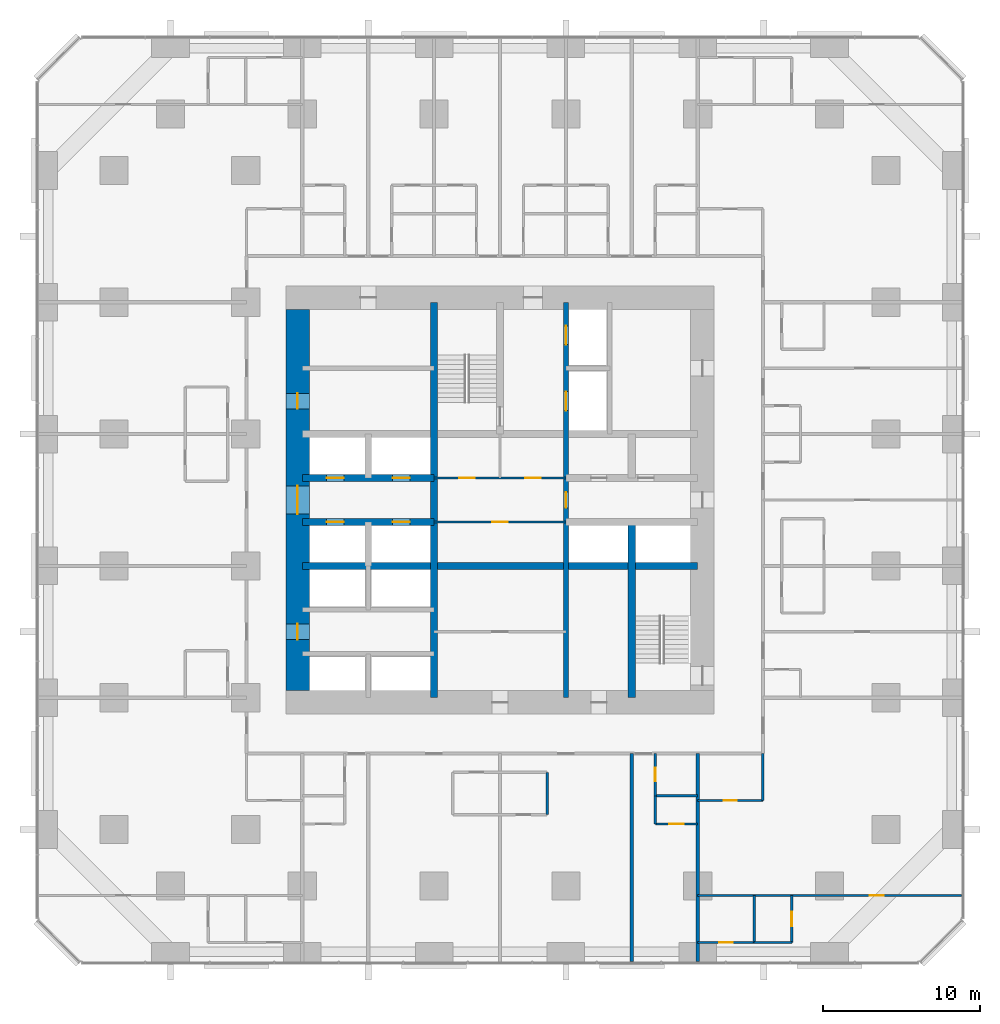
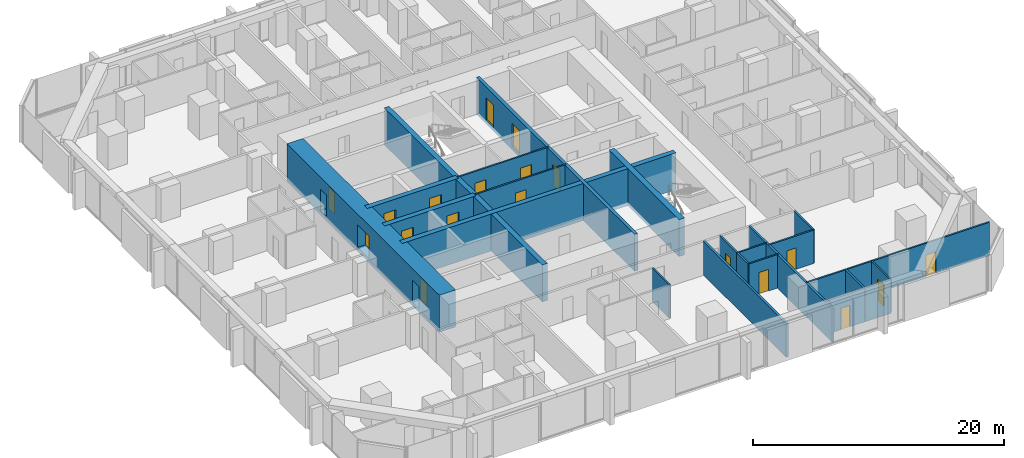
# One storey, part 12 of 17: 23 walls, 19 doors, 19 openings.
"""IFC4 building model written with IfcOpenShell, lengths in metres."""

from ifc_helpers import new_model, si_unit, direction, frame, frame_2d, origin, place, context, subcontext, project, spatial, rectangle, extrude, material, layer, layer_set, type_object, element, fill, save


model = new_model("IFC4")

# Units and contexts
model_context = context("Model", 3, precision=1e-05, world=origin(), true_north=direction((0.0, 1.0)))
body_context = subcontext(model_context, "Body", "Model", "MODEL_VIEW")
ifc_project = project(units=[si_unit("LENGTHUNIT", "METRE"), si_unit("AREAUNIT", "SQUARE_METRE"), si_unit("VOLUMEUNIT", "CUBIC_METRE"), si_unit("PLANEANGLEUNIT", "RADIAN"), si_unit("MASSUNIT", "GRAM", prefix="KILO")], contexts=[model_context])

# Site, building, storey
site_placement = place(None, origin())
site = spatial("IfcSite", under=ifc_project, at=site_placement, CompositionType="ELEMENT")
building_placement = place(site_placement, origin())
building = spatial("IfcBuilding", under=site, at=building_placement, Name="Dunama Terrace Hotel", CompositionType="ELEMENT")
storey_placement = place(building_placement, frame((0.0, 0.0, 63.0)))
storey = spatial("IfcBuildingStorey", under=building, at=storey_placement, Name="L15", CompositionType="ELEMENT", Elevation=63.0)

# Wall
ifc_material_1 = material(Name="Gypsum board partition", Category="masonry")
ifc_layer_1 = layer(ifc_material_1, 0.14990234375)
ifc_layer_set_1 = layer_set([ifc_layer_1], Name="Bathroom partition 150")
wall_type_1 = type_object("IfcWallType", Name="Bathroom partition 150", PredefinedType="PARTITIONING", material=ifc_layer_set_1)
wall_1_placement = place(storey_placement, frame((32.39990234375, 9.35009765625, 0.0), z_axis=(0.0, 0.0, 1.0), x_axis=(0.0, 1.0, 0.0)))
element("IfcWall", 1, at=wall_1_placement, inside=storey, type_object=wall_type_1, Name="Bathroom partition 150 L15", PredefinedType="PARTITIONING", context=body_context, shape_type="SweptSolid", body=[
    extrude(rectangle(XDim=2.699951171875, YDim=0.14990234375, at=frame_2d((1.35009765625, 0.0))), origin(), (0.0, 0.0, 1.0), 3.25),
])

# Wall, opening, door
wall_2_placement = place(storey_placement, frame((39.300048828125, 10.550048828125, 0.0), z_axis=(0.0, 0.0, 1.0), x_axis=(0.0, 1.0, 0.0)))
wall_2 = element("IfcWall", 2, at=wall_2_placement, inside=storey, type_object=wall_type_1, Name="Bathroom partition 150 L15", PredefinedType="PARTITIONING", context=body_context, shape_type="SweptSolid", body=[
    extrude(rectangle(XDim=2.699951171875, YDim=0.14990234375, at=frame_2d((1.35009765625, 0.0))), origin(), (0.0, 0.0, 1.0), 3.25),
])
opening_1_placement = place(wall_2_placement, frame((0.925048828125, 0.0, 0.0)))
opening_1 = element("IfcOpeningElement", 3, at=opening_1_placement, cuts=wall_2, Name="Opening L15-16-017", PredefinedType="OPENING", context=body_context, shape_type="SweptSolid", body=[
    extrude(rectangle(XDim=0.85009765625, YDim=2.10009765625, at=frame_2d((0.425048828125, 1.050048828125))), frame((0.0, 0.0849609375, 0.0), z_axis=(0.0, -1.0, 0.0), x_axis=(1.0, 0.0, 0.0)), (0.0, 0.0, 1.0), 0.169921875),
])
ifc_material_2 = material(Name="Timber door with steel frame", Category="steel")
door_type_1 = type_object("IfcDoorType", Name="Bathroom door 850", OperationType="SINGLE_SWING_LEFT", PredefinedType="DOOR", material=ifc_material_2)
door_1_placement = place(opening_1_placement, frame((0.85009765625, 0.0, 0.0), z_axis=(0.0, 0.0, 1.0), x_axis=(-1.0, 0.0, 0.0)))
door_1 = element("IfcDoor", 4, at=door_1_placement, inside=storey, type_object=door_type_1, Name="Door to en-suite bathroom L15-16-017, type D2", OperationType="SINGLE_SWING_LEFT", OverallHeight=2.10009765625, OverallWidth=0.85009765625, PredefinedType="DOOR", context=body_context, shape_type="SweptSolid", body=[
    extrude(rectangle(XDim=0.85009765625, YDim=2.10009765625, at=frame_2d((0.425048828125, 1.050048828125))), frame((0.0, 0.025146484375, 0.0), z_axis=(0.0, -1.0, 0.0), x_axis=(1.0, 0.0, 0.0)), (0.0, 0.0, 1.0), 0.050048828125),
])
fill(opening_1, door_1)

# Wall
wall_3_placement = place(storey_placement, frame((46.14990234375, 10.25, 0.0), z_axis=(0.0, 0.0, 1.0), x_axis=(0.0, 1.0, 0.0)))
element("IfcWall", 5, at=wall_3_placement, inside=storey, type_object=wall_type_1, Name="Bathroom partition 150 L15", PredefinedType="PARTITIONING", context=body_context, shape_type="SweptSolid", body=[
    extrude(rectangle(XDim=3.0, YDim=0.14990234375, at=frame_2d((1.5, 0.0))), origin(), (0.0, 0.0, 1.0), 3.25),
])

# Wall, opening, door
wall_4_placement = place(storey_placement, frame((42.0, 1.199951171875, 0.0), z_axis=(0.0, 0.0, 1.0), x_axis=(1.0, 0.0, 0.0)))
wall_4 = element("IfcWall", 6, at=wall_4_placement, inside=storey, type_object=wall_type_1, Name="Bathroom partition 150 L15", PredefinedType="PARTITIONING", context=body_context, shape_type="SweptSolid", body=[
    extrude(rectangle(XDim=3.60009765625, YDim=0.14990234375, at=frame_2d((1.800048828125, 0.0))), origin(), (0.0, 0.0, 1.0), 3.25),
])
opening_2_placement = place(wall_4_placement, frame((1.375, 0.0, 0.0)))
opening_2 = element("IfcOpeningElement", 7, at=opening_2_placement, cuts=wall_4, Name="Opening L15-16-063", PredefinedType="OPENING", context=body_context, shape_type="SweptSolid", body=[
    extrude(rectangle(XDim=0.85009765625, YDim=2.10009765625, at=frame_2d((0.425048828125, 1.050048828125))), frame((0.0, 0.0849609375, 0.0), z_axis=(0.0, -1.0, 0.0), x_axis=(1.0, 0.0, 0.0)), (0.0, 0.0, 1.0), 0.169921875),
])
door_2_placement = place(opening_2_placement, origin())
door_2 = element("IfcDoor", 8, at=door_2_placement, inside=storey, type_object=door_type_1, Name="Door to en-suite bathroom L15-16-063, type D2", OperationType="SINGLE_SWING_LEFT", OverallHeight=2.10009765625, OverallWidth=0.85009765625, PredefinedType="DOOR", context=body_context, shape_type="SweptSolid", body=[
    extrude(rectangle(XDim=0.85009765625, YDim=2.10009765625, at=frame_2d((0.425048828125, 1.050048828125))), frame((0.0, 0.02490234375, 0.0), z_axis=(0.0, -1.0, 0.0), x_axis=(1.0, 0.0, 0.0)), (0.0, 0.0, 1.0), 0.050048828125),
])
fill(opening_2, door_2)

wall_5_placement = place(storey_placement, frame((42.0, 10.25, 0.0), z_axis=(0.0, 0.0, 1.0), x_axis=(1.0, 0.0, 0.0)))
wall_5 = element("IfcWall", 9, at=wall_5_placement, inside=storey, type_object=wall_type_1, Name="Bathroom partition 150 L15", PredefinedType="PARTITIONING", context=body_context, shape_type="SweptSolid", body=[
    extrude(rectangle(XDim=4.14990234375, YDim=0.14990234375, at=frame_2d((2.074951171875, 0.0))), origin(), (0.0, 0.0, 1.0), 3.25),
])
opening_3_placement = place(wall_5_placement, frame((1.64990234375, 0.0, 0.0)))
opening_3 = element("IfcOpeningElement", 10, at=opening_3_placement, cuts=wall_5, Name="Opening L15-16-061", PredefinedType="OPENING", context=body_context, shape_type="SweptSolid", body=[
    extrude(rectangle(XDim=0.85009765625, YDim=2.10009765625, at=frame_2d((0.425048828125, 1.050048828125))), frame((0.0, 0.0849609375, 0.0), z_axis=(0.0, -1.0, 0.0), x_axis=(1.0, 0.0, 0.0)), (0.0, 0.0, 1.0), 0.169921875),
])
door_3_placement = place(opening_3_placement, origin())
door_3 = element("IfcDoor", 11, at=door_3_placement, inside=storey, type_object=door_type_1, Name="Door to powder room L15-16-061, type D2", OperationType="SINGLE_SWING_LEFT", OverallHeight=2.10009765625, OverallWidth=0.85009765625, PredefinedType="DOOR", context=body_context, shape_type="SweptSolid", body=[
    extrude(rectangle(XDim=0.85009765625, YDim=2.10009765625, at=frame_2d((0.425048828125, 1.050048828125))), frame((0.0, 0.02490234375, 0.0), z_axis=(0.0, -1.0, 0.0), x_axis=(1.0, 0.0, 0.0)), (0.0, 0.0, 1.0), 0.050048828125),
])
fill(opening_3, door_3)

# Wall, openings, doors
ifc_material_3 = material(Name="Concrete C50/60", Category="concrete")
ifc_layer_2 = layer(ifc_material_3, 0.300048828125)
ifc_layer_set_2 = layer_set([ifc_layer_2], Name="Core inner wall 300")
wall_type_2 = type_object("IfcWallType", Name="Core inner wall 300", PredefinedType="SHEAR", material=ifc_layer_set_2)
wall_6_placement = place(storey_placement, frame((33.60009765625, 16.800048828125, -0.35009765625), z_axis=(0.0, 0.0, 1.0), x_axis=(0.0, 1.0, 0.0)))
wall_6 = element("IfcWall", 12, at=wall_6_placement, inside=storey, type_object=wall_type_2, Name="Core inner wall 300 L15", PredefinedType="SHEAR", context=body_context, shape_type="SweptSolid", body=[
    extrude(rectangle(XDim=25.199951171875, YDim=0.300048828125, at=frame_2d((12.60009765625, 0.0))), origin(), (0.0, 0.0, 1.0), 3.60009765625),
])
opening_4_placement = place(wall_6_placement, frame((22.5, 0.0, 0.35009765625)))
opening_4 = element("IfcOpeningElement", 13, at=opening_4_placement, cuts=wall_6, Name="Opening L15-16-007", PredefinedType="OPENING", context=body_context, shape_type="SweptSolid", body=[
    extrude(rectangle(XDim=1.199951171875, YDim=2.199951171875, at=frame_2d((0.60009765625, 1.10009765625))), frame((0.0, 0.159912109375, 0.0), z_axis=(0.0, -1.0, 0.0), x_axis=(1.0, 0.0, 0.0)), (0.0, 0.0, 1.0), 0.320068359375),
])
opening_5_placement = place(wall_6_placement, frame((18.300048828125, 0.0, 0.35009765625)))
opening_5 = element("IfcOpeningElement", 14, at=opening_5_placement, cuts=wall_6, Name="Opening L15-16-008", PredefinedType="OPENING", context=body_context, shape_type="SweptSolid", body=[
    extrude(rectangle(XDim=1.199951171875, YDim=2.199951171875, at=frame_2d((0.60009765625, 1.10009765625))), frame((0.0, 0.159912109375, 0.0), z_axis=(0.0, -1.0, 0.0), x_axis=(1.0, 0.0, 0.0)), (0.0, 0.0, 1.0), 0.320068359375),
])
opening_6_placement = place(wall_6_placement, frame((12.10009765625, 0.0, 0.35009765625)))
opening_6 = element("IfcOpeningElement", 15, at=opening_6_placement, cuts=wall_6, Name="Opening L15-16-079", PredefinedType="OPENING", context=body_context, shape_type="SweptSolid", body=[
    extrude(rectangle(XDim=1.0, YDim=2.10009765625, at=frame_2d((0.5, 1.050048828125))), frame((0.0, 0.159912109375, 0.0), z_axis=(0.0, -1.0, 0.0), x_axis=(1.0, 0.0, 0.0)), (0.0, 0.0, 1.0), 0.320068359375),
])
ifc_material_4 = material(Name="Stainless steel lift door", Category="steel")
door_type_2 = type_object("IfcDoorType", Name="Firefighting lift landing door 1200", OperationType="DOUBLE_DOOR_SLIDING", PredefinedType="DOOR", material=ifc_material_4)
door_4_placement = place(opening_4_placement, origin())
door_4 = element("IfcDoor", 16, at=door_4_placement, inside=storey, type_object=door_type_2, Name="Landing door FL1 L15-16-007, type LD2", OperationType="DOUBLE_DOOR_SLIDING", OverallHeight=2.199951171875, OverallWidth=1.199951171875, PredefinedType="DOOR", context=body_context, shape_type="SweptSolid", body=[
    extrude(rectangle(XDim=1.199951171875, YDim=2.199951171875, at=frame_2d((0.60009765625, 1.10009765625))), frame((0.0, 0.02490234375, 0.0), z_axis=(0.0, -1.0, 0.0), x_axis=(1.0, 0.0, 0.0)), (0.0, 0.0, 1.0), 0.050048828125),
])
fill(opening_4, door_4)
door_5_placement = place(opening_5_placement, origin())
door_5 = element("IfcDoor", 17, at=door_5_placement, inside=storey, type_object=door_type_2, Name="Landing door FL2 L15-16-008, type LD2", OperationType="DOUBLE_DOOR_SLIDING", OverallHeight=2.199951171875, OverallWidth=1.199951171875, PredefinedType="DOOR", context=body_context, shape_type="SweptSolid", body=[
    extrude(rectangle(XDim=1.199951171875, YDim=2.199951171875, at=frame_2d((0.60009765625, 1.10009765625))), frame((0.0, 0.02490234375, 0.0), z_axis=(0.0, -1.0, 0.0), x_axis=(1.0, 0.0, 0.0)), (0.0, 0.0, 1.0), 0.050048828125),
])
fill(opening_5, door_5)
ifc_material_5 = material(Name="Timber door with steel frame", Category="steel")
door_type_3 = type_object("IfcDoorType", Name="Service door 1000", OperationType="SINGLE_SWING_LEFT", PredefinedType="DOOR", material=ifc_material_5)
door_6_placement = place(opening_6_placement, origin())
door_6 = element("IfcDoor", 18, at=door_6_placement, inside=storey, type_object=door_type_3, Name="Door to staff passage L15-16-079, type D7", OperationType="SINGLE_SWING_LEFT", OverallHeight=2.10009765625, OverallWidth=1.0, PredefinedType="DOOR", context=body_context, shape_type="SweptSolid", body=[
    extrude(rectangle(XDim=1.0, YDim=2.10009765625, at=frame_2d((0.5, 1.050048828125))), frame((0.0, 0.02490234375, 0.0), z_axis=(0.0, -1.0, 0.0), x_axis=(1.0, 0.0, 0.0)), (0.0, 0.0, 1.0), 0.050048828125),
])
fill(opening_6, door_6)

# Walls
ifc_material_6 = material(Name="Concrete C50/60", Category="concrete")
ifc_layer_3 = layer(ifc_material_6, 0.449951171875)
ifc_layer_set_3 = layer_set([ifc_layer_3], Name="Core inner wall 450")
wall_type_3 = type_object("IfcWallType", Name="Core inner wall 450", PredefinedType="SHEAR", material=ifc_layer_set_3)
for number, where, z_axis, x_axis, name in (
    (19, (25.199951171875, 16.800048828125, -0.35009765625), (0.0, 0.0, 1.0), (0.0, 1.0, 0.0), "Core inner wall 450 L15"),
    (20, (16.800048828125, 25.199951171875, -0.35009765625), (0.0, 0.0, 1.0), (1.0, 0.0, 0.0), "Core inner wall 450 L15"),
):
    element("IfcWall", number, at=place(storey_placement, frame(where, z_axis=z_axis, x_axis=x_axis)), inside=storey, type_object=wall_type_3, Name=name, PredefinedType="SHEAR", context=body_context, shape_type="SweptSolid", body=[
        extrude(rectangle(XDim=25.199951171875, YDim=0.449951171875, at=frame_2d((12.60009765625, 0.0))), origin(), (0.0, 0.0, 1.0), 3.60009765625),
    ])

# Wall, openings, doors
wall_7_placement = place(storey_placement, frame((16.800048828125, 28.0, -0.35009765625), z_axis=(0.0, 0.0, 1.0), x_axis=(1.0, 0.0, 0.0)))
wall_7 = element("IfcWall", 21, at=wall_7_placement, inside=storey, type_object=wall_type_3, Name="Core inner wall 450 L15", PredefinedType="SHEAR", context=body_context, shape_type="SweptSolid", body=[
    extrude(rectangle(XDim=8.39990234375, YDim=0.449951171875, at=frame_2d((4.199951171875, 0.0))), origin(), (0.0, 0.0, 1.0), 3.60009765625),
])
opening_7_placement = place(wall_7_placement, frame((1.550048828125, 0.0, 0.35009765625)))
opening_7 = element("IfcOpeningElement", 22, at=opening_7_placement, cuts=wall_7, Name="Opening L15-16-003", PredefinedType="OPENING", context=body_context, shape_type="SweptSolid", body=[
    extrude(rectangle(XDim=1.10009765625, YDim=2.199951171875, at=frame_2d((0.550048828125, 1.10009765625))), frame((0.0, 0.23486328125, 0.0), z_axis=(0.0, -1.0, 0.0), x_axis=(1.0, 0.0, 0.0)), (0.0, 0.0, 1.0), 0.469970703125),
])
opening_8_placement = place(wall_7_placement, frame((5.75, 0.0, 0.35009765625)))
opening_8 = element("IfcOpeningElement", 23, at=opening_8_placement, cuts=wall_7, Name="Opening L15-16-004", PredefinedType="OPENING", context=body_context, shape_type="SweptSolid", body=[
    extrude(rectangle(XDim=1.10009765625, YDim=2.199951171875, at=frame_2d((0.550048828125, 1.10009765625))), frame((0.0, 0.23486328125, 0.0), z_axis=(0.0, -1.0, 0.0), x_axis=(1.0, 0.0, 0.0)), (0.0, 0.0, 1.0), 0.469970703125),
])
ifc_material_7 = material(Name="Stainless steel lift door", Category="steel")
door_type_4 = type_object("IfcDoorType", Name="Lift landing door 1100", OperationType="DOUBLE_DOOR_SLIDING", PredefinedType="DOOR", material=ifc_material_7)
door_7_placement = place(opening_7_placement, origin())
door_7 = element("IfcDoor", 24, at=door_7_placement, inside=storey, type_object=door_type_4, Name="Landing door PA1 L15-16-003, type LD1", OperationType="DOUBLE_DOOR_SLIDING", OverallHeight=2.199951171875, OverallWidth=1.10009765625, PredefinedType="DOOR", context=body_context, shape_type="SweptSolid", body=[
    extrude(rectangle(XDim=1.10009765625, YDim=2.199951171875, at=frame_2d((0.550048828125, 1.10009765625))), frame((0.0, 0.02490234375, 0.0), z_axis=(0.0, -1.0, 0.0), x_axis=(1.0, 0.0, 0.0)), (0.0, 0.0, 1.0), 0.050048828125),
])
fill(opening_7, door_7)
door_8_placement = place(opening_8_placement, origin())
door_8 = element("IfcDoor", 25, at=door_8_placement, inside=storey, type_object=door_type_4, Name="Landing door PA2 L15-16-004, type LD1", OperationType="DOUBLE_DOOR_SLIDING", OverallHeight=2.199951171875, OverallWidth=1.10009765625, PredefinedType="DOOR", context=body_context, shape_type="SweptSolid", body=[
    extrude(rectangle(XDim=1.10009765625, YDim=2.199951171875, at=frame_2d((0.550048828125, 1.10009765625))), frame((0.0, 0.02490234375, 0.0), z_axis=(0.0, -1.0, 0.0), x_axis=(1.0, 0.0, 0.0)), (0.0, 0.0, 1.0), 0.050048828125),
])
fill(opening_8, door_8)

wall_8_placement = place(storey_placement, frame((16.800048828125, 30.800048828125, -0.35009765625), z_axis=(0.0, 0.0, 1.0), x_axis=(1.0, 0.0, 0.0)))
wall_8 = element("IfcWall", 26, at=wall_8_placement, inside=storey, type_object=wall_type_3, Name="Core inner wall 450 L15", PredefinedType="SHEAR", context=body_context, shape_type="SweptSolid", body=[
    extrude(rectangle(XDim=8.39990234375, YDim=0.449951171875, at=frame_2d((4.199951171875, 0.0))), origin(), (0.0, 0.0, 1.0), 3.60009765625),
])
opening_9_placement = place(wall_8_placement, frame((1.550048828125, 0.0, 0.35009765625)))
opening_9 = element("IfcOpeningElement", 27, at=opening_9_placement, cuts=wall_8, Name="Opening L15-16-005", PredefinedType="OPENING", context=body_context, shape_type="SweptSolid", body=[
    extrude(rectangle(XDim=1.10009765625, YDim=2.199951171875, at=frame_2d((0.550048828125, 1.10009765625))), frame((0.0, 0.23486328125, 0.0), z_axis=(0.0, -1.0, 0.0), x_axis=(1.0, 0.0, 0.0)), (0.0, 0.0, 1.0), 0.469970703125),
])
opening_10_placement = place(wall_8_placement, frame((5.75, 0.0, 0.35009765625)))
opening_10 = element("IfcOpeningElement", 28, at=opening_10_placement, cuts=wall_8, Name="Opening L15-16-006", PredefinedType="OPENING", context=body_context, shape_type="SweptSolid", body=[
    extrude(rectangle(XDim=1.10009765625, YDim=2.199951171875, at=frame_2d((0.550048828125, 1.10009765625))), frame((0.0, 0.23486328125, 0.0), z_axis=(0.0, -1.0, 0.0), x_axis=(1.0, 0.0, 0.0)), (0.0, 0.0, 1.0), 0.469970703125),
])
door_9_placement = place(opening_9_placement, origin())
door_9 = element("IfcDoor", 29, at=door_9_placement, inside=storey, type_object=door_type_4, Name="Landing door PA3 L15-16-005, type LD1", OperationType="DOUBLE_DOOR_SLIDING", OverallHeight=2.199951171875, OverallWidth=1.10009765625, PredefinedType="DOOR", context=body_context, shape_type="SweptSolid", body=[
    extrude(rectangle(XDim=1.10009765625, YDim=2.199951171875, at=frame_2d((0.550048828125, 1.10009765625))), frame((0.0, 0.02490234375, 0.0), z_axis=(0.0, -1.0, 0.0), x_axis=(1.0, 0.0, 0.0)), (0.0, 0.0, 1.0), 0.050048828125),
])
fill(opening_9, door_9)
door_10_placement = place(opening_10_placement, origin())
door_10 = element("IfcDoor", 30, at=door_10_placement, inside=storey, type_object=door_type_4, Name="Landing door PA4 L15-16-006, type LD1", OperationType="DOUBLE_DOOR_SLIDING", OverallHeight=2.199951171875, OverallWidth=1.10009765625, PredefinedType="DOOR", context=body_context, shape_type="SweptSolid", body=[
    extrude(rectangle(XDim=1.10009765625, YDim=2.199951171875, at=frame_2d((0.550048828125, 1.10009765625))), frame((0.0, 0.02490234375, 0.0), z_axis=(0.0, -1.0, 0.0), x_axis=(1.0, 0.0, 0.0)), (0.0, 0.0, 1.0), 0.050048828125),
])
fill(opening_10, door_10)

# Wall
ifc_material_8 = material(Name="Concrete C50/60", Category="concrete")
ifc_layer_4 = layer(ifc_material_8, 0.5)
ifc_layer_set_4 = layer_set([ifc_layer_4], Name="Core inner wall 500")
wall_type_4 = type_object("IfcWallType", Name="Core inner wall 500", PredefinedType="SHEAR", material=ifc_layer_set_4)
wall_9_placement = place(storey_placement, frame((37.800048828125, 16.800048828125, -0.35009765625), z_axis=(0.0, 0.0, 1.0), x_axis=(0.0, 1.0, 0.0)))
element("IfcWall", 31, at=wall_9_placement, inside=storey, type_object=wall_type_4, Name="Core inner wall 500 L15", PredefinedType="SHEAR", context=body_context, shape_type="SweptSolid", body=[
    extrude(rectangle(XDim=11.199951171875, YDim=0.5, at=frame_2d((5.60009765625, 0.0))), origin(), (0.0, 0.0, 1.0), 3.60009765625),
])

# Wall, openings, doors
ifc_material_9 = material(Name="Concrete C60/75", Category="concrete")
ifc_layer_5 = layer(ifc_material_9, 1.5)
ifc_layer_set_5 = layer_set([ifc_layer_5], Name="Core wall 1500")
wall_type_5 = type_object("IfcWallType", Name="Core wall 1500", PredefinedType="SHEAR", material=ifc_layer_set_5)
wall_10_placement = place(storey_placement, frame((16.5, 41.550048828125, -0.35009765625), z_axis=(0.0, 0.0, 1.0), x_axis=(0.0, -1.0, 0.0)))
wall_10 = element("IfcWall", 32, at=wall_10_placement, inside=storey, type_object=wall_type_5, Name="Core wall west L15", PredefinedType="SHEAR", context=body_context, shape_type="SweptSolid", body=[
    extrude(rectangle(XDim=24.300048828125, YDim=1.5, at=frame_2d((12.14990234375, 0.0))), origin(), (0.0, 0.0, 1.0), 3.60009765625),
])
opening_11_placement = place(wall_10_placement, frame((11.25, 0.0, 0.35009765625)))
opening_11 = element("IfcOpeningElement", 33, at=opening_11_placement, cuts=wall_10, Name="Opening L15-16-075", PredefinedType="OPENING", context=body_context, shape_type="SweptSolid", body=[
    extrude(rectangle(XDim=1.800048828125, YDim=2.199951171875, at=frame_2d((0.89990234375, 1.10009765625))), frame((0.0, 0.760009765625, 0.0), z_axis=(0.0, -1.0, 0.0), x_axis=(1.0, 0.0, 0.0)), (0.0, 0.0, 1.0), 1.52001953125),
])
opening_12_placement = place(wall_10_placement, frame((20.050048828125, 0.0, 0.35009765625)))
opening_12 = element("IfcOpeningElement", 34, at=opening_12_placement, cuts=wall_10, Name="Opening L15-16-076", PredefinedType="OPENING", context=body_context, shape_type="SweptSolid", body=[
    extrude(rectangle(XDim=1.0, YDim=2.10009765625, at=frame_2d((0.5, 1.050048828125))), frame((0.0, 0.760009765625, 0.0), z_axis=(0.0, -1.0, 0.0), x_axis=(1.0, 0.0, 0.0)), (0.0, 0.0, 1.0), 1.52001953125),
])
opening_13_placement = place(wall_10_placement, frame((5.35009765625, 0.0, 0.35009765625)))
opening_13 = element("IfcOpeningElement", 35, at=opening_13_placement, cuts=wall_10, Name="Opening L15-16-077", PredefinedType="OPENING", context=body_context, shape_type="SweptSolid", body=[
    extrude(rectangle(XDim=1.0, YDim=2.10009765625, at=frame_2d((0.5, 1.050048828125))), frame((0.0, 0.760009765625, 0.0), z_axis=(0.0, -1.0, 0.0), x_axis=(1.0, 0.0, 0.0)), (0.0, 0.0, 1.0), 1.52001953125),
])
ifc_material_10 = material(Name="Timber door with steel frame", Category="steel")
door_type_5 = type_object("IfcDoorType", Name="Lift lobby double door 1800", OperationType="DOUBLE_DOOR_DOUBLE_SWING", PredefinedType="DOOR", material=ifc_material_10)
door_11_placement = place(opening_11_placement, origin())
door_11 = element("IfcDoor", 36, at=door_11_placement, inside=storey, type_object=door_type_5, Name="Door to lift lobby L15-16-075, type D3", OperationType="DOUBLE_DOOR_DOUBLE_SWING", OverallHeight=2.199951171875, OverallWidth=1.800048828125, PredefinedType="DOOR", context=body_context, shape_type="SweptSolid", body=[
    extrude(rectangle(XDim=1.800048828125, YDim=2.199951171875, at=frame_2d((0.89990234375, 1.10009765625))), frame((0.0, 0.02490234375, 0.0), z_axis=(0.0, -1.0, 0.0), x_axis=(1.0, 0.0, 0.0)), (0.0, 0.0, 1.0), 0.050048828125),
])
fill(opening_11, door_11)
door_12_placement = place(opening_12_placement, origin())
door_12 = element("IfcDoor", 37, at=door_12_placement, inside=storey, type_object=door_type_3, Name="Door to service lobby L15-16-076, type D7", OperationType="SINGLE_SWING_RIGHT", OverallHeight=2.10009765625, OverallWidth=1.0, PredefinedType="DOOR", context=body_context, shape_type="SweptSolid", body=[
    extrude(rectangle(XDim=1.0, YDim=2.10009765625, at=frame_2d((0.5, 1.050048828125))), frame((0.0, 0.02490234375, 0.0), z_axis=(0.0, -1.0, 0.0), x_axis=(1.0, 0.0, 0.0)), (0.0, 0.0, 1.0), 0.050048828125),
])
fill(opening_12, door_12)
door_13_placement = place(opening_13_placement, origin())
door_13 = element("IfcDoor", 38, at=door_13_placement, inside=storey, type_object=door_type_3, Name="Door to electrical room L15-16-077, type D7", OperationType="SINGLE_SWING_RIGHT", OverallHeight=2.10009765625, OverallWidth=1.0, PredefinedType="DOOR", context=body_context, shape_type="SweptSolid", body=[
    extrude(rectangle(XDim=1.0, YDim=2.10009765625, at=frame_2d((0.5, 1.050048828125))), frame((0.0, 0.02490234375, 0.0), z_axis=(0.0, -1.0, 0.0), x_axis=(1.0, 0.0, 0.0)), (0.0, 0.0, 1.0), 0.050048828125),
])
fill(opening_13, door_13)

# Walls
ifc_material_11 = material(Name="Concrete blockwork", Category="masonry")
ifc_layer_6 = layer(ifc_material_11, 0.199951171875)
ifc_layer_set_6 = layer_set([ifc_layer_6], Name="Party wall 200")
wall_type_6 = type_object("IfcWallType", Name="Party wall 200", PredefinedType="PARTITIONING", material=ifc_layer_set_6)
for number, where, z_axis, x_axis, name in (
    (39, (37.800048828125, -0.008056640625, 0.0), (0.0, 0.0, 1.0), (0.0, 1.0, 0.0), "Party wall 200 L15"),
    (40, (42.0, -0.008056640625, 0.0), (0.0, 0.0, 1.0), (0.0, 1.0, 0.0), "Party wall 200 L15"),
):
    element("IfcWall", number, at=place(storey_placement, frame(where, z_axis=z_axis, x_axis=x_axis)), inside=storey, type_object=wall_type_6, Name=name, PredefinedType="PARTITIONING", context=body_context, shape_type="SweptSolid", body=[
        extrude(rectangle(XDim=13.258056640625, YDim=0.199951171875, at=frame_2d((6.62890625, 0.0))), origin(), (0.0, 0.0, 1.0), 3.25),
    ])
ifc_material_12 = material(Name="Gypsum board partition", Category="masonry")
ifc_layer_7 = layer(ifc_material_12, 0.14990234375)
ifc_layer_set_7 = layer_set([ifc_layer_7], Name="Room partition 150")
wall_type_7 = type_object("IfcWallType", Name="Room partition 150", PredefinedType="PARTITIONING", material=ifc_layer_set_7)
wall_11_placement = place(storey_placement, frame((39.300048828125, 8.75, 0.0), z_axis=(0.0, 0.0, 1.0), x_axis=(0.0, 1.0, 0.0)))
element("IfcWall", 41, at=wall_11_placement, inside=storey, type_object=wall_type_7, Name="Room partition 150 L15", PredefinedType="PARTITIONING", context=body_context, shape_type="SweptSolid", body=[
    extrude(rectangle(XDim=1.800048828125, YDim=0.14990234375, at=frame_2d((0.89990234375, 0.0))), origin(), (0.0, 0.0, 1.0), 3.25),
])
wall_12_placement = place(storey_placement, frame((45.60009765625, 1.199951171875, 0.0), z_axis=(0.0, 0.0, 1.0), x_axis=(0.0, 1.0, 0.0)))
element("IfcWall", 42, at=wall_12_placement, inside=storey, type_object=wall_type_7, Name="Room partition 150 L15", PredefinedType="PARTITIONING", context=body_context, shape_type="SweptSolid", body=[
    extrude(rectangle(XDim=3.0, YDim=0.14990234375, at=frame_2d((1.5, 0.0))), origin(), (0.0, 0.0, 1.0), 3.25),
])

# Wall, opening, door
wall_13_placement = place(storey_placement, frame((48.0, 1.199951171875, 0.0), z_axis=(0.0, 0.0, 1.0), x_axis=(0.0, 1.0, 0.0)))
wall_13 = element("IfcWall", 43, at=wall_13_placement, inside=storey, type_object=wall_type_7, Name="Room partition 150 L15", PredefinedType="PARTITIONING", context=body_context, shape_type="SweptSolid", body=[
    extrude(rectangle(XDim=3.0, YDim=0.14990234375, at=frame_2d((1.5, 0.0))), origin(), (0.0, 0.0, 1.0), 3.25),
])
opening_14_placement = place(wall_13_placement, frame((1.050048828125, 0.0, 0.0)))
opening_14 = element("IfcOpeningElement", 44, at=opening_14_placement, cuts=wall_13, Name="Opening L15-16-064", PredefinedType="OPENING", context=body_context, shape_type="SweptSolid", body=[
    extrude(rectangle(XDim=0.89990234375, YDim=2.10009765625, at=frame_2d((0.449951171875, 1.050048828125))), frame((0.0, 0.0849609375, 0.0), z_axis=(0.0, -1.0, 0.0), x_axis=(1.0, 0.0, 0.0)), (0.0, 0.0, 1.0), 0.169921875),
])
ifc_material_13 = material(Name="Timber door with steel frame", Category="steel")
door_type_6 = type_object("IfcDoorType", Name="Suite internal door 900", OperationType="SINGLE_SWING_LEFT", PredefinedType="DOOR", material=ifc_material_13)
door_14_placement = place(opening_14_placement, origin())
door_14 = element("IfcDoor", 45, at=door_14_placement, inside=storey, type_object=door_type_6, Name="Door to dressing room L15-16-064, type D16", OperationType="SINGLE_SWING_LEFT", OverallHeight=2.10009765625, OverallWidth=0.89990234375, PredefinedType="DOOR", context=body_context, shape_type="SweptSolid", body=[
    extrude(rectangle(XDim=0.89990234375, YDim=2.10009765625, at=frame_2d((0.449951171875, 1.050048828125))), frame((0.0, 0.02490234375, 0.0), z_axis=(0.0, -1.0, 0.0), x_axis=(1.0, 0.0, 0.0)), (0.0, 0.0, 1.0), 0.050048828125),
])
fill(opening_14, door_14)

# Wall
wall_14_placement = place(storey_placement, frame((45.60009765625, 1.199951171875, 0.0), z_axis=(0.0, 0.0, 1.0), x_axis=(1.0, 0.0, 0.0)))
element("IfcWall", 46, at=wall_14_placement, inside=storey, type_object=wall_type_7, Name="Room partition 150 L15", PredefinedType="PARTITIONING", context=body_context, shape_type="SweptSolid", body=[
    extrude(rectangle(XDim=2.39990234375, YDim=0.14990234375, at=frame_2d((1.199951171875, 0.0))), origin(), (0.0, 0.0, 1.0), 3.25),
])

# Wall, opening, door
wall_15_placement = place(storey_placement, frame((42.0, 4.199951171875, 0.0), z_axis=(0.0, 0.0, 1.0), x_axis=(1.0, 0.0, 0.0)))
wall_15 = element("IfcWall", 47, at=wall_15_placement, inside=storey, type_object=wall_type_7, Name="Room partition 150 L15", PredefinedType="PARTITIONING", context=body_context, shape_type="SweptSolid", body=[
    extrude(rectangle(XDim=16.80810546875, YDim=0.14990234375, at=frame_2d((8.404052734375, 0.0))), origin(), (0.0, 0.0, 1.0), 3.25),
])
opening_15_placement = place(wall_15_placement, frame((10.949951171875, 0.0, 0.0)))
opening_15 = element("IfcOpeningElement", 48, at=opening_15_placement, cuts=wall_15, Name="Opening L15-16-062", PredefinedType="OPENING", context=body_context, shape_type="SweptSolid", body=[
    extrude(rectangle(XDim=0.89990234375, YDim=2.10009765625, at=frame_2d((0.449951171875, 1.050048828125))), frame((0.0, 0.0849609375, 0.0), z_axis=(0.0, -1.0, 0.0), x_axis=(1.0, 0.0, 0.0)), (0.0, 0.0, 1.0), 0.169921875),
])
door_15_placement = place(opening_15_placement, frame((0.89990234375, 0.0, 0.0), z_axis=(0.0, 0.0, 1.0), x_axis=(-1.0, 0.0, 0.0)))
door_15 = element("IfcDoor", 49, at=door_15_placement, inside=storey, type_object=door_type_6, Name="Door to corner suite bedroom L15-16-062, type D16", OperationType="SINGLE_SWING_RIGHT", OverallHeight=2.10009765625, OverallWidth=0.89990234375, PredefinedType="DOOR", context=body_context, shape_type="SweptSolid", body=[
    extrude(rectangle(XDim=0.89990234375, YDim=2.10009765625, at=frame_2d((0.449951171875, 1.050048828125))), frame((0.0, 0.025146484375, 0.0), z_axis=(0.0, -1.0, 0.0), x_axis=(1.0, 0.0, 0.0)), (0.0, 0.0, 1.0), 0.050048828125),
])
fill(opening_15, door_15)

wall_16_placement = place(storey_placement, frame((39.300048828125, 8.75, 0.0), z_axis=(0.0, 0.0, 1.0), x_axis=(1.0, 0.0, 0.0)))
wall_16 = element("IfcWall", 50, at=wall_16_placement, inside=storey, type_object=wall_type_7, Name="Room partition 150 L15", PredefinedType="PARTITIONING", context=body_context, shape_type="SweptSolid", body=[
    extrude(rectangle(XDim=2.699951171875, YDim=0.14990234375, at=frame_2d((1.35009765625, 0.0))), origin(), (0.0, 0.0, 1.0), 3.25),
])
opening_16_placement = place(wall_16_placement, frame((0.89990234375, 0.0, 0.0)))
opening_16 = element("IfcOpeningElement", 51, at=opening_16_placement, cuts=wall_16, Name="Opening L15-16-018", PredefinedType="OPENING", context=body_context, shape_type="SweptSolid", body=[
    extrude(rectangle(XDim=0.89990234375, YDim=2.10009765625, at=frame_2d((0.449951171875, 1.050048828125))), frame((0.0, 0.0849609375, 0.0), z_axis=(0.0, -1.0, 0.0), x_axis=(1.0, 0.0, 0.0)), (0.0, 0.0, 1.0), 0.169921875),
])
door_16_placement = place(opening_16_placement, origin())
door_16 = element("IfcDoor", 52, at=door_16_placement, inside=storey, type_object=door_type_6, Name="Door to walk-in wardrobe L15-16-018, type D16", OperationType="SINGLE_SWING_RIGHT", OverallHeight=2.10009765625, OverallWidth=0.89990234375, PredefinedType="DOOR", context=body_context, shape_type="SweptSolid", body=[
    extrude(rectangle(XDim=0.89990234375, YDim=2.10009765625, at=frame_2d((0.449951171875, 1.050048828125))), frame((0.0, 0.02490234375, 0.0), z_axis=(0.0, -1.0, 0.0), x_axis=(1.0, 0.0, 0.0)), (0.0, 0.0, 1.0), 0.050048828125),
])
fill(opening_16, door_16)

# Wall
wall_17_placement = place(storey_placement, frame((39.300048828125, 10.550048828125, 0.0), z_axis=(0.0, 0.0, 1.0), x_axis=(1.0, 0.0, 0.0)))
element("IfcWall", 53, at=wall_17_placement, inside=storey, type_object=wall_type_7, Name="Room partition 150 L15", PredefinedType="PARTITIONING", context=body_context, shape_type="SweptSolid", body=[
    extrude(rectangle(XDim=2.699951171875, YDim=0.14990234375, at=frame_2d((1.35009765625, 0.0))), origin(), (0.0, 0.0, 1.0), 3.25),
])

# Wall, opening, door
wall_18_placement = place(storey_placement, frame((25.199951171875, 28.0, 0.0), z_axis=(0.0, 0.0, 1.0), x_axis=(1.0, 0.0, 0.0)))
wall_18 = element("IfcWall", 54, at=wall_18_placement, inside=storey, type_object=wall_type_7, Name="Room partition 150 L15", PredefinedType="PARTITIONING", context=body_context, shape_type="SweptSolid", body=[
    extrude(rectangle(XDim=8.400146484375, YDim=0.14990234375, at=frame_2d((4.2001953125, 0.0))), origin(), (0.0, 0.0, 1.0), 3.25),
])
opening_17_placement = place(wall_18_placement, frame((3.699951171875, 0.0, 0.0)))
opening_17 = element("IfcOpeningElement", 55, at=opening_17_placement, cuts=wall_18, Name="Opening L15-16-080", PredefinedType="OPENING", context=body_context, shape_type="SweptSolid", body=[
    extrude(rectangle(XDim=1.0, YDim=2.10009765625, at=frame_2d((0.5, 1.050048828125))), frame((0.0, 0.0849609375, 0.0), z_axis=(0.0, -1.0, 0.0), x_axis=(1.0, 0.0, 0.0)), (0.0, 0.0, 1.0), 0.169921875),
])
door_17_placement = place(opening_17_placement, frame((1.0, 0.0, 0.0), z_axis=(0.0, 0.0, 1.0), x_axis=(-1.0, 0.0, 0.0)))
door_17 = element("IfcDoor", 56, at=door_17_placement, inside=storey, type_object=door_type_3, Name="Door to room service pantry L15-16-080, type D7", OperationType="SINGLE_SWING_RIGHT", OverallHeight=2.10009765625, OverallWidth=1.0, PredefinedType="DOOR", context=body_context, shape_type="SweptSolid", body=[
    extrude(rectangle(XDim=1.0, YDim=2.10009765625, at=frame_2d((0.5, 1.050048828125))), frame((0.0, 0.025146484375, 0.0), z_axis=(0.0, -1.0, 0.0), x_axis=(1.0, 0.0, 0.0)), (0.0, 0.0, 1.0), 0.050048828125),
])
fill(opening_17, door_17)

# Wall, openings, doors
wall_19_placement = place(storey_placement, frame((25.199951171875, 30.800048828125, 0.0), z_axis=(0.0, 0.0, 1.0), x_axis=(1.0, 0.0, 0.0)))
wall_19 = element("IfcWall", 57, at=wall_19_placement, inside=storey, type_object=wall_type_7, Name="Room partition 150 L15", PredefinedType="PARTITIONING", context=body_context, shape_type="SweptSolid", body=[
    extrude(rectangle(XDim=8.400146484375, YDim=0.14990234375, at=frame_2d((4.2001953125, 0.0))), origin(), (0.0, 0.0, 1.0), 3.25),
])
opening_18_placement = place(wall_19_placement, frame((5.800048828125, 0.0, 0.0)))
opening_18 = element("IfcOpeningElement", 58, at=opening_18_placement, cuts=wall_19, Name="Opening L15-16-081", PredefinedType="OPENING", context=body_context, shape_type="SweptSolid", body=[
    extrude(rectangle(XDim=1.0, YDim=2.10009765625, at=frame_2d((0.5, 1.050048828125))), frame((0.0, 0.0849609375, 0.0), z_axis=(0.0, -1.0, 0.0), x_axis=(1.0, 0.0, 0.0)), (0.0, 0.0, 1.0), 0.169921875),
])
opening_19_placement = place(wall_19_placement, frame((1.60009765625, 0.0, 0.0)))
opening_19 = element("IfcOpeningElement", 59, at=opening_19_placement, cuts=wall_19, Name="Opening L15-16-082", PredefinedType="OPENING", context=body_context, shape_type="SweptSolid", body=[
    extrude(rectangle(XDim=1.0, YDim=2.10009765625, at=frame_2d((0.5, 1.050048828125))), frame((0.0, 0.0849609375, 0.0), z_axis=(0.0, -1.0, 0.0), x_axis=(1.0, 0.0, 0.0)), (0.0, 0.0, 1.0), 0.169921875),
])
door_18_placement = place(opening_18_placement, origin())
door_18 = element("IfcDoor", 60, at=door_18_placement, inside=storey, type_object=door_type_3, Name="Door to it equipment room L15-16-081, type D7", OperationType="SINGLE_SWING_RIGHT", OverallHeight=2.10009765625, OverallWidth=1.0, PredefinedType="DOOR", context=body_context, shape_type="SweptSolid", body=[
    extrude(rectangle(XDim=1.0, YDim=2.10009765625, at=frame_2d((0.5, 1.050048828125))), frame((0.0, 0.02490234375, 0.0), z_axis=(0.0, -1.0, 0.0), x_axis=(1.0, 0.0, 0.0)), (0.0, 0.0, 1.0), 0.050048828125),
])
fill(opening_18, door_18)
door_19_placement = place(opening_19_placement, origin())
door_19 = element("IfcDoor", 61, at=door_19_placement, inside=storey, type_object=door_type_3, Name="Door to staff break room L15-16-082, type D7", OperationType="SINGLE_SWING_LEFT", OverallHeight=2.10009765625, OverallWidth=1.0, PredefinedType="DOOR", context=body_context, shape_type="SweptSolid", body=[
    extrude(rectangle(XDim=1.0, YDim=2.10009765625, at=frame_2d((0.5, 1.050048828125))), frame((0.0, 0.02490234375, 0.0), z_axis=(0.0, -1.0, 0.0), x_axis=(1.0, 0.0, 0.0)), (0.0, 0.0, 1.0), 0.050048828125),
])
fill(opening_19, door_19)

save(model, "model.ifc")
